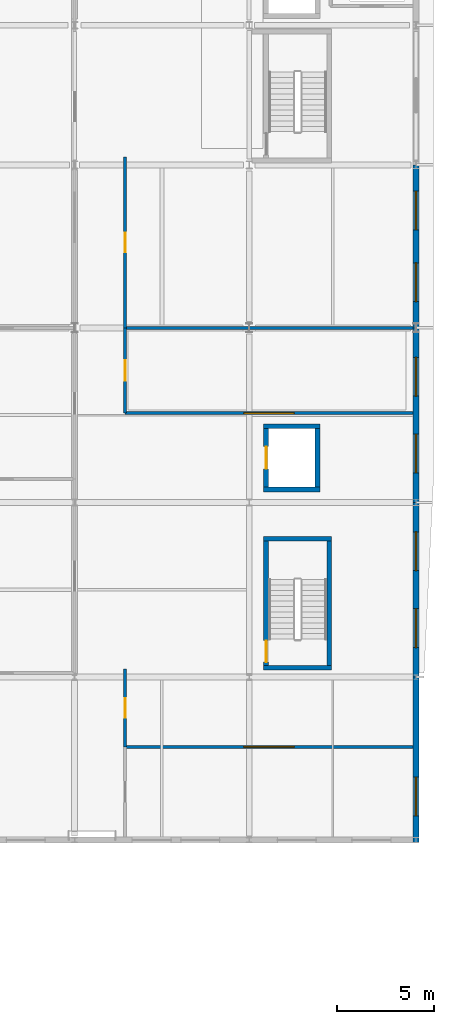
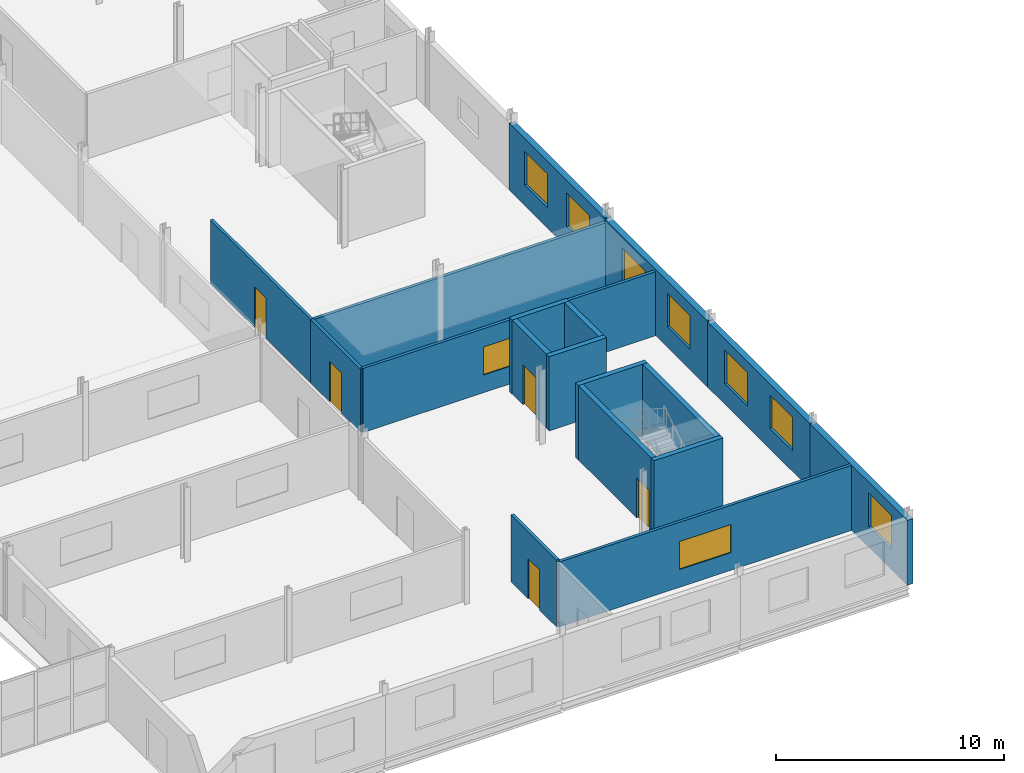
# One storey, part 120 of 138: 18 walls, 9 windows, 5 doors, 14 openings.
"""IFC4 building model written with IfcOpenShell, lengths in metres."""

from ifc_helpers import new_model, si_unit, direction, frame, frame_2d, origin, place, context, subcontext, project, spatial, rectangle, extrude, material, layer, layer_set, type_object, element, fill, save


model = new_model("IFC4")

# Units and contexts
model_context = context("Model", 3, precision=1e-05, world=origin(), true_north=direction((0.0, 1.0)))
body_context = subcontext(model_context, "Body", "Model", "MODEL_VIEW")
ifc_project = project(units=[si_unit("LENGTHUNIT", "METRE"), si_unit("AREAUNIT", "SQUARE_METRE"), si_unit("VOLUMEUNIT", "CUBIC_METRE"), si_unit("PLANEANGLEUNIT", "RADIAN"), si_unit("MASSUNIT", "GRAM", prefix="KILO")], contexts=[model_context])

# Site, building, storey
site_placement = place(None, origin())
site = spatial("IfcSite", under=ifc_project, at=site_placement, CompositionType="ELEMENT")
building_placement = place(site_placement, origin())
building = spatial("IfcBuilding", under=site, at=building_placement, Name="Vinh Khe Railworks Police Headquarters", CompositionType="ELEMENT")
storey_placement = place(building_placement, frame((0.0, 0.0, 9.0)))
storey = spatial("IfcBuildingStorey", under=building, at=storey_placement, Name="L02", CompositionType="ELEMENT", Elevation=9.0)

# Walls
ifc_material_1 = material(Name="Concrete C40/50 (B40)", Category="concrete")
ifc_layer_1 = layer(ifc_material_1, 0.25)
ifc_layer_set_1 = layer_set([ifc_layer_1], Name="Concrete C40/50 (B40)")
wall_type_1 = type_object("IfcWallType", Name="Core Shear Wall 250", PredefinedType="SHEAR", material=ifc_layer_set_1)
for number, where, z_axis, x_axis, name in (
    (1, (105.75, 104.875, 0.0), (0.0, 0.0, 1.0), (1.0, 0.0, 0.0), "Core C4 STAIR-S Shear Wall (L02)"),
    (2, (105.75, 111.52490234375, 0.0), (0.0, 0.0, 1.0), (1.0, 0.0, 0.0), "Core C4 STAIR-N Shear Wall (L02)"),
):
    element("IfcWall", number, at=place(storey_placement, frame(where, z_axis=z_axis, x_axis=x_axis)), inside=storey, type_object=wall_type_1, Name=name, PredefinedType="SHEAR", context=body_context, shape_type="SweptSolid", body=[
        extrude(rectangle(XDim=3.5, YDim=0.25, at=frame_2d((1.75, 0.0))), origin(), (0.0, 0.0, 1.0), 3.97998046875),
    ])

# Wall, opening, door
wall_1_placement = place(storey_placement, frame((105.875, 105.0, 0.0), z_axis=(0.0, 0.0, 1.0), x_axis=(0.0, 1.0, 0.0)))
wall_1 = element("IfcWall", 3, at=wall_1_placement, inside=storey, type_object=wall_type_1, Name="Core C4 STAIR-W Shear Wall (L02)", PredefinedType="SHEAR", context=body_context, shape_type="SweptSolid", body=[
    extrude(rectangle(XDim=6.39990234375, YDim=0.25, at=frame_2d((3.199951171875, 0.0))), origin(), (0.0, 0.0, 1.0), 3.97998046875),
])
opening_1_placement = place(wall_1_placement, frame((0.169921875, 0.0, 0.0)))
opening_1 = element("IfcOpeningElement", 4, at=opening_1_placement, cuts=wall_1, Name="Opening FD-01", PredefinedType="OPENING", context=body_context, shape_type="SweptSolid", body=[
    extrude(rectangle(XDim=1.10009765625, YDim=2.14990234375, at=frame_2d((0.550048828125, 1.074951171875))), frame((0.0, 0.139892578125, 0.0), z_axis=(0.0, -1.0, 0.0), x_axis=(1.0, 0.0, 0.0)), (0.0, 0.0, 1.0), 0.27978515625),
])
ifc_material_2 = material(Name="Painted galvanised steel", Category="steel")
door_type_1 = type_object("IfcDoorType", Name="FD-1100x2150", OperationType="NOTDEFINED", PredefinedType="DOOR", material=ifc_material_2)
door_1_placement = place(opening_1_placement, origin())
door_1 = element("IfcDoor", 5, at=door_1_placement, inside=storey, type_object=door_type_1, Name="Escape Stair ST-04 Fire Door L02", OperationType="SINGLE_SWING_RIGHT", OverallHeight=2.14990234375, OverallWidth=1.10009765625, PredefinedType="DOOR", context=body_context, shape_type="SweptSolid", body=[
    extrude(rectangle(XDim=1.10009765625, YDim=2.14990234375, at=frame_2d((0.550048828125, 1.074951171875))), frame((0.0, 0.02490234375, 0.0), z_axis=(0.0, -1.0, 0.0), x_axis=(1.0, 0.0, 0.0)), (0.0, 0.0, 1.0), 0.050048828125),
])
fill(opening_1, door_1)

# Walls
wall_2_placement = place(storey_placement, frame((109.125, 105.0, 0.0), z_axis=(0.0, 0.0, 1.0), x_axis=(0.0, 1.0, 0.0)))
element("IfcWall", 6, at=wall_2_placement, inside=storey, type_object=wall_type_1, Name="Core C4 STAIR-E Shear Wall (L02)", PredefinedType="SHEAR", context=body_context, shape_type="SweptSolid", body=[
    extrude(rectangle(XDim=6.39990234375, YDim=0.25, at=frame_2d((3.199951171875, 0.0))), origin(), (0.0, 0.0, 1.0), 3.97998046875),
])
for number, where, z_axis, x_axis, name in (
    (7, (105.75, 114.074951171875, 0.0), (0.0, 0.0, 1.0), (1.0, 0.0, 0.0), "Core C4 PL-S Lift Shaft Wall (L02)"),
    (8, (105.75, 117.324951171875, 0.0), (0.0, 0.0, 1.0), (1.0, 0.0, 0.0), "Core C4 PL-N Lift Shaft Wall (L02)"),
):
    element("IfcWall", number, at=place(storey_placement, frame(where, z_axis=z_axis, x_axis=x_axis)), inside=storey, type_object=wall_type_1, Name=name, PredefinedType="SHEAR", context=body_context, shape_type="SweptSolid", body=[
        extrude(rectangle(XDim=2.89990234375, YDim=0.25, at=frame_2d((1.449951171875, 0.0))), origin(), (0.0, 0.0, 1.0), 3.97998046875),
    ])

# Wall, opening, door
wall_3_placement = place(storey_placement, frame((105.875, 114.199951171875, 0.0), z_axis=(0.0, 0.0, 1.0), x_axis=(0.0, 1.0, 0.0)))
wall_3 = element("IfcWall", 9, at=wall_3_placement, inside=storey, type_object=wall_type_1, Name="Core C4 PL-W Lift Shaft Wall (L02)", PredefinedType="SHEAR", context=body_context, shape_type="SweptSolid", body=[
    extrude(rectangle(XDim=3.0, YDim=0.25, at=frame_2d((1.5, 0.0))), origin(), (0.0, 0.0, 1.0), 3.97998046875),
])
opening_2_placement = place(wall_3_placement, frame((0.925048828125, 0.0, 0.0)))
opening_2 = element("IfcOpeningElement", 10, at=opening_2_placement, cuts=wall_3, Name="Opening LD-03", PredefinedType="OPENING", context=body_context, shape_type="SweptSolid", body=[
    extrude(rectangle(XDim=1.14990234375, YDim=2.14990234375, at=frame_2d((0.574951171875, 1.074951171875))), frame((0.0, 0.139892578125, 0.0), z_axis=(0.0, -1.0, 0.0), x_axis=(1.0, 0.0, 0.0)), (0.0, 0.0, 1.0), 0.27978515625),
])
door_type_2 = type_object("IfcDoorType", Name="LD-CUST-1150", OperationType="SLIDING_TO_LEFT", PredefinedType="DOOR", material=ifc_material_2)
door_2_placement = place(opening_2_placement, origin())
door_2 = element("IfcDoor", 11, at=door_2_placement, inside=storey, type_object=door_type_2, Name="Lift Landing Door CL-01 L02", OperationType="SLIDING_TO_LEFT", OverallHeight=2.14990234375, OverallWidth=1.14990234375, PredefinedType="DOOR", context=body_context, shape_type="SweptSolid", body=[
    extrude(rectangle(XDim=1.14990234375, YDim=2.14990234375, at=frame_2d((0.574951171875, 1.074951171875))), frame((0.0, 0.02490234375, 0.0), z_axis=(0.0, -1.0, 0.0), x_axis=(1.0, 0.0, 0.0)), (0.0, 0.0, 1.0), 0.050048828125),
])
fill(opening_2, door_2)

# Wall
wall_4_placement = place(storey_placement, frame((108.52490234375, 114.199951171875, 0.0), z_axis=(0.0, 0.0, 1.0), x_axis=(0.0, 1.0, 0.0)))
element("IfcWall", 12, at=wall_4_placement, inside=storey, type_object=wall_type_1, Name="Core C4 PL-E Lift Shaft Wall (L02)", PredefinedType="SHEAR", context=body_context, shape_type="SweptSolid", body=[
    extrude(rectangle(XDim=3.0, YDim=0.25, at=frame_2d((1.5, 0.0))), origin(), (0.0, 0.0, 1.0), 3.97998046875),
])

# Wall, opening, window
ifc_material_3 = material(Name="Clay brickwork", Category="masonry")
ifc_layer_2 = layer(ifc_material_3, 0.300048828125)
ifc_layer_set_2 = layer_set([ifc_layer_2], Name="Clay brickwork")
wall_type_2 = type_object("IfcWallType", Name="EW-BRK-300", PredefinedType="SOLIDWALL", material=ifc_layer_set_2)
wall_5_placement = place(storey_placement, frame((113.60009765625, 95.85009765625, 0.0), z_axis=(0.0, 0.0, 1.0), x_axis=(0.0, 1.0, 0.0)))
wall_5 = element("IfcWall", 13, at=wall_5_placement, inside=storey, type_object=wall_type_2, Name="Exterior Brick Wall EW-L02-V6E-01", PredefinedType="SOLIDWALL", context=body_context, shape_type="SweptSolid", body=[
    extrude(rectangle(XDim=8.5498046875, YDim=0.300048828125, at=frame_2d((4.27490234375, 0.0))), origin(), (0.0, 0.0, 1.0), 3.485107421875),
])
opening_3_placement = place(wall_5_placement, frame((1.39404296875, 0.0, 1.10009765625)))
opening_3 = element("IfcOpeningElement", 14, at=opening_3_placement, cuts=wall_5, Name="Opening WN-04", PredefinedType="OPENING", context=body_context, shape_type="SweptSolid", body=[
    extrude(rectangle(XDim=2.0, YDim=1.800048828125, at=frame_2d((1.0, 0.89990234375))), frame((0.0, 0.1650390625, 0.0), z_axis=(0.0, -1.0, 0.0), x_axis=(1.0, 0.0, 0.0)), (0.0, 0.0, 1.0), 0.329833984375),
])
ifc_material_4 = material(Name="Double-glazed solar-control glass in dark steel frame", Category="steel")
window_type_1 = type_object("IfcWindowType", Name="WIN-WN-04", PartitioningType="DOUBLE_PANEL_VERTICAL", PredefinedType="WINDOW", material=ifc_material_4)
window_1_placement = place(opening_3_placement, origin())
window_1 = element("IfcWindow", 15, at=window_1_placement, inside=storey, type_object=window_type_1, Name="Casement Window WN-04", OverallHeight=1.800048828125, OverallWidth=2.0, PartitioningType="SINGLE_PANEL", PredefinedType="WINDOW", context=body_context, shape_type="SweptSolid", body=[
    extrude(rectangle(XDim=2.0, YDim=1.800048828125, at=frame_2d((1.0, 0.89990234375))), frame((0.0, 0.030029296875, 0.0), z_axis=(0.0, -1.0, 0.0), x_axis=(1.0, 0.0, 0.0)), (0.0, 0.0, 1.0), 0.06005859375),
])
fill(opening_3, window_1)

# Wall, openings, windows
wall_6_placement = place(storey_placement, frame((113.60009765625, 104.39990234375, 0.0), z_axis=(0.0, 0.0, 1.0), x_axis=(0.0, 1.0, 0.0)))
wall_6 = element("IfcWall", 16, at=wall_6_placement, inside=storey, type_object=wall_type_2, Name="Exterior Brick Wall EW-L02-V6E-02", PredefinedType="SOLIDWALL", context=body_context, shape_type="SweptSolid", body=[
    extrude(rectangle(XDim=9.0, YDim=0.300048828125, at=frame_2d((4.5, 0.0))), origin(), (0.0, 0.0, 1.0), 3.485107421875),
])
opening_4_placement = place(wall_6_placement, frame((1.52001953125, 0.0, 1.10009765625)))
opening_4 = element("IfcOpeningElement", 17, at=opening_4_placement, cuts=wall_6, Name="Opening WN-04", PredefinedType="OPENING", context=body_context, shape_type="SweptSolid", body=[
    extrude(rectangle(XDim=2.0, YDim=1.800048828125, at=frame_2d((1.0, 0.89990234375))), frame((0.0, 0.1650390625, 0.0), z_axis=(0.0, -1.0, 0.0), x_axis=(1.0, 0.0, 0.0)), (0.0, 0.0, 1.0), 0.329833984375),
])
opening_5_placement = place(wall_6_placement, frame((5.47998046875, 0.0, 1.10009765625)))
opening_5 = element("IfcOpeningElement", 18, at=opening_5_placement, cuts=wall_6, Name="Opening WN-04", PredefinedType="OPENING", context=body_context, shape_type="SweptSolid", body=[
    extrude(rectangle(XDim=2.0, YDim=1.800048828125, at=frame_2d((1.0, 0.89990234375))), frame((0.0, 0.1650390625, 0.0), z_axis=(0.0, -1.0, 0.0), x_axis=(1.0, 0.0, 0.0)), (0.0, 0.0, 1.0), 0.329833984375),
])
window_2_placement = place(opening_4_placement, origin())
window_2 = element("IfcWindow", 19, at=window_2_placement, inside=storey, type_object=window_type_1, Name="Casement Window WN-04", OverallHeight=1.800048828125, OverallWidth=2.0, PartitioningType="SINGLE_PANEL", PredefinedType="WINDOW", context=body_context, shape_type="SweptSolid", body=[
    extrude(rectangle(XDim=2.0, YDim=1.800048828125, at=frame_2d((1.0, 0.89990234375))), frame((0.0, 0.030029296875, 0.0), z_axis=(0.0, -1.0, 0.0), x_axis=(1.0, 0.0, 0.0)), (0.0, 0.0, 1.0), 0.06005859375),
])
fill(opening_4, window_2)
window_3_placement = place(opening_5_placement, origin())
window_3 = element("IfcWindow", 20, at=window_3_placement, inside=storey, type_object=window_type_1, Name="Casement Window WN-04", OverallHeight=1.800048828125, OverallWidth=2.0, PartitioningType="SINGLE_PANEL", PredefinedType="WINDOW", context=body_context, shape_type="SweptSolid", body=[
    extrude(rectangle(XDim=2.0, YDim=1.800048828125, at=frame_2d((1.0, 0.89990234375))), frame((0.0, 0.030029296875, 0.0), z_axis=(0.0, -1.0, 0.0), x_axis=(1.0, 0.0, 0.0)), (0.0, 0.0, 1.0), 0.06005859375),
])
fill(opening_5, window_3)

wall_7_placement = place(storey_placement, frame((113.60009765625, 113.39990234375, 0.0), z_axis=(0.0, 0.0, 1.0), x_axis=(0.0, 1.0, 0.0)))
wall_7 = element("IfcWall", 21, at=wall_7_placement, inside=storey, type_object=wall_type_2, Name="Exterior Brick Wall EW-L02-V6E-03", PredefinedType="SOLIDWALL", context=body_context, shape_type="SweptSolid", body=[
    extrude(rectangle(XDim=9.0, YDim=0.300048828125, at=frame_2d((4.5, 0.0))), origin(), (0.0, 0.0, 1.0), 3.534912109375),
])
opening_6_placement = place(wall_7_placement, frame((1.52001953125, 0.0, 1.10009765625)))
opening_6 = element("IfcOpeningElement", 22, at=opening_6_placement, cuts=wall_7, Name="Opening WN-04", PredefinedType="OPENING", context=body_context, shape_type="SweptSolid", body=[
    extrude(rectangle(XDim=2.0, YDim=1.800048828125, at=frame_2d((1.0, 0.89990234375))), frame((0.0, 0.1650390625, 0.0), z_axis=(0.0, -1.0, 0.0), x_axis=(1.0, 0.0, 0.0)), (0.0, 0.0, 1.0), 0.329833984375),
])
opening_7_placement = place(wall_7_placement, frame((5.47998046875, 0.0, 1.10009765625)))
opening_7 = element("IfcOpeningElement", 23, at=opening_7_placement, cuts=wall_7, Name="Opening WN-04", PredefinedType="OPENING", context=body_context, shape_type="SweptSolid", body=[
    extrude(rectangle(XDim=2.0, YDim=1.800048828125, at=frame_2d((1.0, 0.89990234375))), frame((0.0, 0.1650390625, 0.0), z_axis=(0.0, -1.0, 0.0), x_axis=(1.0, 0.0, 0.0)), (0.0, 0.0, 1.0), 0.329833984375),
])
window_4_placement = place(opening_6_placement, origin())
window_4 = element("IfcWindow", 24, at=window_4_placement, inside=storey, type_object=window_type_1, Name="Casement Window WN-04", OverallHeight=1.800048828125, OverallWidth=2.0, PartitioningType="SINGLE_PANEL", PredefinedType="WINDOW", context=body_context, shape_type="SweptSolid", body=[
    extrude(rectangle(XDim=2.0, YDim=1.800048828125, at=frame_2d((1.0, 0.89990234375))), frame((0.0, 0.030029296875, 0.0), z_axis=(0.0, -1.0, 0.0), x_axis=(1.0, 0.0, 0.0)), (0.0, 0.0, 1.0), 0.06005859375),
])
fill(opening_6, window_4)
window_5_placement = place(opening_7_placement, origin())
window_5 = element("IfcWindow", 25, at=window_5_placement, inside=storey, type_object=window_type_1, Name="Casement Window WN-04", OverallHeight=1.800048828125, OverallWidth=2.0, PartitioningType="SINGLE_PANEL", PredefinedType="WINDOW", context=body_context, shape_type="SweptSolid", body=[
    extrude(rectangle(XDim=2.0, YDim=1.800048828125, at=frame_2d((1.0, 0.89990234375))), frame((0.0, 0.030029296875, 0.0), z_axis=(0.0, -1.0, 0.0), x_axis=(1.0, 0.0, 0.0)), (0.0, 0.0, 1.0), 0.06005859375),
])
fill(opening_7, window_5)

wall_8_placement = place(storey_placement, frame((113.60009765625, 122.39990234375, 0.0), z_axis=(0.0, 0.0, 1.0), x_axis=(0.0, 1.0, 0.0)))
wall_8 = element("IfcWall", 26, at=wall_8_placement, inside=storey, type_object=wall_type_2, Name="Exterior Brick Wall EW-L02-V6E-04", PredefinedType="SOLIDWALL", context=body_context, shape_type="SweptSolid", body=[
    extrude(rectangle(XDim=8.400146484375, YDim=0.300048828125, at=frame_2d((4.2001953125, 0.0))), origin(), (0.0, 0.0, 1.0), 3.5849609375),
])
opening_8_placement = place(wall_8_placement, frame((1.35205078125, 0.0, 1.10009765625)))
opening_8 = element("IfcOpeningElement", 27, at=opening_8_placement, cuts=wall_8, Name="Opening WN-04", PredefinedType="OPENING", context=body_context, shape_type="SweptSolid", body=[
    extrude(rectangle(XDim=2.0, YDim=1.800048828125, at=frame_2d((1.0, 0.89990234375))), frame((0.0, 0.1650390625, 0.0), z_axis=(0.0, -1.0, 0.0), x_axis=(1.0, 0.0, 0.0)), (0.0, 0.0, 1.0), 0.329833984375),
])
opening_9_placement = place(wall_8_placement, frame((5.048095703125, 0.0, 1.10009765625)))
opening_9 = element("IfcOpeningElement", 28, at=opening_9_placement, cuts=wall_8, Name="Opening WN-04", PredefinedType="OPENING", context=body_context, shape_type="SweptSolid", body=[
    extrude(rectangle(XDim=2.0, YDim=1.800048828125, at=frame_2d((1.0, 0.89990234375))), frame((0.0, 0.1650390625, 0.0), z_axis=(0.0, -1.0, 0.0), x_axis=(1.0, 0.0, 0.0)), (0.0, 0.0, 1.0), 0.329833984375),
])
window_6_placement = place(opening_8_placement, origin())
window_6 = element("IfcWindow", 29, at=window_6_placement, inside=storey, type_object=window_type_1, Name="Casement Window WN-04", OverallHeight=1.800048828125, OverallWidth=2.0, PartitioningType="SINGLE_PANEL", PredefinedType="WINDOW", context=body_context, shape_type="SweptSolid", body=[
    extrude(rectangle(XDim=2.0, YDim=1.800048828125, at=frame_2d((1.0, 0.89990234375))), frame((0.0, 0.030029296875, 0.0), z_axis=(0.0, -1.0, 0.0), x_axis=(1.0, 0.0, 0.0)), (0.0, 0.0, 1.0), 0.06005859375),
])
fill(opening_8, window_6)
window_7_placement = place(opening_9_placement, origin())
window_7 = element("IfcWindow", 30, at=window_7_placement, inside=storey, type_object=window_type_1, Name="Casement Window WN-04", OverallHeight=1.800048828125, OverallWidth=2.0, PartitioningType="SINGLE_PANEL", PredefinedType="WINDOW", context=body_context, shape_type="SweptSolid", body=[
    extrude(rectangle(XDim=2.0, YDim=1.800048828125, at=frame_2d((1.0, 0.89990234375))), frame((0.0, 0.030029296875, 0.0), z_axis=(0.0, -1.0, 0.0), x_axis=(1.0, 0.0, 0.0)), (0.0, 0.0, 1.0), 0.06005859375),
])
fill(opening_9, window_7)

# Wall, opening, window
ifc_material_5 = material(Name="Gypsum plasterboard on steel stud", Category="steel")
ifc_layer_3 = layer(ifc_material_5, 0.1201171875)
ifc_layer_set_3 = layer_set([ifc_layer_3], Name="Gypsum plasterboard on steel stud")
wall_type_3 = type_object("IfcWallType", Name="IW-PART-120", PredefinedType="PARTITIONING", material=ifc_layer_set_3)
wall_9_placement = place(storey_placement, frame((98.60009765625, 100.800048828125, 0.0), z_axis=(0.0, 0.0, 1.0), x_axis=(1.0, 0.0, 0.0)))
wall_9 = element("IfcWall", 31, at=wall_9_placement, inside=storey, type_object=wall_type_3, Name="Interior Partition W-L02-V6-CELL8-DIV", PredefinedType="PARTITIONING", context=body_context, shape_type="SweptSolid", body=[
    extrude(rectangle(XDim=14.83984375, YDim=0.14990234375, at=frame_2d((7.419921875, 0.0))), origin(), (0.0, 0.0, 1.0), 3.485107421875),
])
opening_10_placement = place(wall_9_placement, frame((6.1201171875, 0.0, 0.949951171875)))
opening_10 = element("IfcOpeningElement", 32, at=opening_10_placement, cuts=wall_9, Name="Opening WN-07", PredefinedType="OPENING", context=body_context, shape_type="SweptSolid", body=[
    extrude(rectangle(XDim=2.60009765625, YDim=1.5, at=frame_2d((1.300048828125, 0.75))), frame((0.0, 0.08984375, 0.0), z_axis=(0.0, -1.0, 0.0), x_axis=(1.0, 0.0, 0.0)), (0.0, 0.0, 1.0), 0.1796875),
])
window_type_2 = type_object("IfcWindowType", Name="WIN-WN-07", PartitioningType="DOUBLE_PANEL_HORIZONTAL", PredefinedType="WINDOW", material=ifc_material_4)
window_8_placement = place(opening_10_placement, origin())
window_8 = element("IfcWindow", 33, at=window_8_placement, inside=storey, type_object=window_type_2, Name="Interior Acoustic Vision Window WN-07", OverallHeight=1.5, OverallWidth=2.60009765625, PartitioningType="SINGLE_PANEL", PredefinedType="WINDOW", context=body_context, shape_type="SweptSolid", body=[
    extrude(rectangle(XDim=2.60009765625, YDim=1.5, at=frame_2d((1.300048828125, 0.75))), frame((0.0, 0.030029296875, 0.0), z_axis=(0.0, -1.0, 0.0), x_axis=(1.0, 0.0, 0.0)), (0.0, 0.0, 1.0), 0.06005859375),
])
fill(opening_10, window_8)

wall_10_placement = place(storey_placement, frame((98.60009765625, 118.0, 0.0), z_axis=(0.0, 0.0, 1.0), x_axis=(1.0, 0.0, 0.0)))
wall_10 = element("IfcWall", 34, at=wall_10_placement, inside=storey, type_object=wall_type_3, Name="Interior Partition W-L02-V6-BIOM-DIV", PredefinedType="PARTITIONING", context=body_context, shape_type="SweptSolid", body=[
    extrude(rectangle(XDim=14.83984375, YDim=0.14990234375, at=frame_2d((7.419921875, 0.0))), origin(), (0.0, 0.0, 1.0), 3.43505859375),
])
opening_11_placement = place(wall_10_placement, frame((6.1201171875, 0.0, 0.949951171875)))
opening_11 = element("IfcOpeningElement", 35, at=opening_11_placement, cuts=wall_10, Name="Opening WN-07", PredefinedType="OPENING", context=body_context, shape_type="SweptSolid", body=[
    extrude(rectangle(XDim=2.60009765625, YDim=1.5, at=frame_2d((1.300048828125, 0.75))), frame((0.0, 0.08984375, 0.0), z_axis=(0.0, -1.0, 0.0), x_axis=(1.0, 0.0, 0.0)), (0.0, 0.0, 1.0), 0.1796875),
])
window_9_placement = place(opening_11_placement, origin())
window_9 = element("IfcWindow", 36, at=window_9_placement, inside=storey, type_object=window_type_2, Name="Interior Acoustic Vision Window WN-07", OverallHeight=1.5, OverallWidth=2.60009765625, PartitioningType="SINGLE_PANEL", PredefinedType="WINDOW", context=body_context, shape_type="SweptSolid", body=[
    extrude(rectangle(XDim=2.60009765625, YDim=1.5, at=frame_2d((1.300048828125, 0.75))), frame((0.0, 0.030029296875, 0.0), z_axis=(0.0, -1.0, 0.0), x_axis=(1.0, 0.0, 0.0)), (0.0, 0.0, 1.0), 0.06005859375),
])
fill(opening_11, window_9)

# Wall
wall_11_placement = place(storey_placement, frame((98.60009765625, 122.39990234375, 0.0), z_axis=(0.0, 0.0, 1.0), x_axis=(1.0, 0.0, 0.0)))
element("IfcWall", 37, at=wall_11_placement, inside=storey, type_object=wall_type_3, Name="Interior Partition W-L02-V6-FARM-DIV", PredefinedType="PARTITIONING", context=body_context, shape_type="SweptSolid", body=[
    extrude(rectangle(XDim=14.83984375, YDim=0.14990234375, at=frame_2d((7.419921875, 0.0))), origin(), (0.0, 0.0, 1.0), 3.385009765625),
])

# Wall, opening, door
ifc_material_6 = material(Name="Gypsum plasterboard on acoustic steel stud", Category="steel")
ifc_layer_4 = layer(ifc_material_6, 0.14990234375)
ifc_layer_set_4 = layer_set([ifc_layer_4], Name="Gypsum plasterboard on acoustic steel stud")
wall_type_4 = type_object("IfcWallType", Name="IW-PART-150", PredefinedType="PARTITIONING", material=ifc_layer_set_4)
wall_12_placement = place(storey_placement, frame((98.60009765625, 100.800048828125, 0.0), z_axis=(0.0, 0.0, 1.0), x_axis=(0.0, 1.0, 0.0)))
wall_12 = element("IfcWall", 38, at=wall_12_placement, inside=storey, type_object=wall_type_4, Name="Interior Partition W-L02-V6-CELL8-CE", PredefinedType="PARTITIONING", context=body_context, shape_type="SweptSolid", body=[
    extrude(rectangle(XDim=4.0, YDim=0.14990234375, at=frame_2d((2.0, 0.0))), origin(), (0.0, 0.0, 1.0), 3.5849609375),
])
opening_12_placement = place(wall_12_placement, frame((1.5, 0.0, 0.0)))
opening_12 = element("IfcOpeningElement", 39, at=opening_12_placement, cuts=wall_12, Name="Opening FD-03", PredefinedType="OPENING", context=body_context, shape_type="SweptSolid", body=[
    extrude(rectangle(XDim=1.0, YDim=2.14990234375, at=frame_2d((0.5, 1.074951171875))), frame((0.0, 0.08984375, 0.0), z_axis=(0.0, -1.0, 0.0), x_axis=(1.0, 0.0, 0.0)), (0.0, 0.0, 1.0), 0.1796875),
])
door_type_3 = type_object("IfcDoorType", Name="FD-1000x2150", OperationType="NOTDEFINED", PredefinedType="DOOR", material=ifc_material_2)
door_3_placement = place(opening_12_placement, origin())
door_3 = element("IfcDoor", 40, at=door_3_placement, inside=storey, type_object=door_type_3, Name="Detention Cell 08 Door", OperationType="SINGLE_SWING_LEFT", OverallHeight=2.14990234375, OverallWidth=1.0, PredefinedType="DOOR", context=body_context, shape_type="SweptSolid", body=[
    extrude(rectangle(XDim=1.0, YDim=2.14990234375, at=frame_2d((0.5, 1.074951171875))), frame((0.0, 0.02490234375, 0.0), z_axis=(0.0, -1.0, 0.0), x_axis=(1.0, 0.0, 0.0)), (0.0, 0.0, 1.0), 0.050048828125),
])
fill(opening_12, door_3)

wall_13_placement = place(storey_placement, frame((98.60009765625, 118.0, 0.0), z_axis=(0.0, 0.0, 1.0), x_axis=(0.0, 1.0, 0.0)))
wall_13 = element("IfcWall", 41, at=wall_13_placement, inside=storey, type_object=wall_type_4, Name="Interior Partition W-L02-V6-BIOM-CE", PredefinedType="PARTITIONING", context=body_context, shape_type="SweptSolid", body=[
    extrude(rectangle(XDim=4.39990234375, YDim=0.14990234375, at=frame_2d((2.199951171875, 0.0))), origin(), (0.0, 0.0, 1.0), 3.385009765625),
])
opening_13_placement = place(wall_13_placement, frame((1.675048828125, 0.0, 0.0)))
opening_13 = element("IfcOpeningElement", 42, at=opening_13_placement, cuts=wall_13, Name="Opening D-02", PredefinedType="OPENING", context=body_context, shape_type="SweptSolid", body=[
    extrude(rectangle(XDim=1.050048828125, YDim=2.14990234375, at=frame_2d((0.52490234375, 1.074951171875))), frame((0.0, 0.08984375, 0.0), z_axis=(0.0, -1.0, 0.0), x_axis=(1.0, 0.0, 0.0)), (0.0, 0.0, 1.0), 0.1796875),
])
ifc_material_7 = material(Name="Seasoned hardwood timber", Category="wood")
door_type_4 = type_object("IfcDoorType", Name="ID-1050x2150", OperationType="NOTDEFINED", PredefinedType="DOOR", material=ifc_material_7)
door_4_placement = place(opening_13_placement, origin())
door_4 = element("IfcDoor", 43, at=door_4_placement, inside=storey, type_object=door_type_4, Name="Forensic Biometrics Intake Room Door", OperationType="SINGLE_SWING_RIGHT", OverallHeight=2.14990234375, OverallWidth=1.050048828125, PredefinedType="DOOR", context=body_context, shape_type="SweptSolid", body=[
    extrude(rectangle(XDim=1.050048828125, YDim=2.14990234375, at=frame_2d((0.52490234375, 1.074951171875))), frame((0.0, 0.02490234375, 0.0), z_axis=(0.0, -1.0, 0.0), x_axis=(1.0, 0.0, 0.0)), (0.0, 0.0, 1.0), 0.050048828125),
])
fill(opening_13, door_4)

wall_14_placement = place(storey_placement, frame((98.60009765625, 122.39990234375, 0.0), z_axis=(0.0, 0.0, 1.0), x_axis=(0.0, 1.0, 0.0)))
wall_14 = element("IfcWall", 44, at=wall_14_placement, inside=storey, type_object=wall_type_4, Name="Interior Partition W-L02-V6-FARM-CE", PredefinedType="PARTITIONING", context=body_context, shape_type="SweptSolid", body=[
    extrude(rectangle(XDim=8.800048828125, YDim=0.14990234375, at=frame_2d((4.39990234375, 0.0))), origin(), (0.0, 0.0, 1.0), 3.385009765625),
])
opening_14_placement = place(wall_14_placement, frame((3.89990234375, 0.0, 0.0)))
opening_14 = element("IfcOpeningElement", 45, at=opening_14_placement, cuts=wall_14, Name="Opening FD-03", PredefinedType="OPENING", context=body_context, shape_type="SweptSolid", body=[
    extrude(rectangle(XDim=1.0, YDim=2.14990234375, at=frame_2d((0.5, 1.074951171875))), frame((0.0, 0.08984375, 0.0), z_axis=(0.0, -1.0, 0.0), x_axis=(1.0, 0.0, 0.0)), (0.0, 0.0, 1.0), 0.1796875),
])
door_5_placement = place(opening_14_placement, origin())
door_5 = element("IfcDoor", 46, at=door_5_placement, inside=storey, type_object=door_type_3, Name="Firearms Reference Collection Vault Door", OperationType="SINGLE_SWING_LEFT", OverallHeight=2.14990234375, OverallWidth=1.0, PredefinedType="DOOR", context=body_context, shape_type="SweptSolid", body=[
    extrude(rectangle(XDim=1.0, YDim=2.14990234375, at=frame_2d((0.5, 1.074951171875))), frame((0.0, 0.02490234375, 0.0), z_axis=(0.0, -1.0, 0.0), x_axis=(1.0, 0.0, 0.0)), (0.0, 0.0, 1.0), 0.050048828125),
])
fill(opening_14, door_5)

save(model, "model.ifc")
